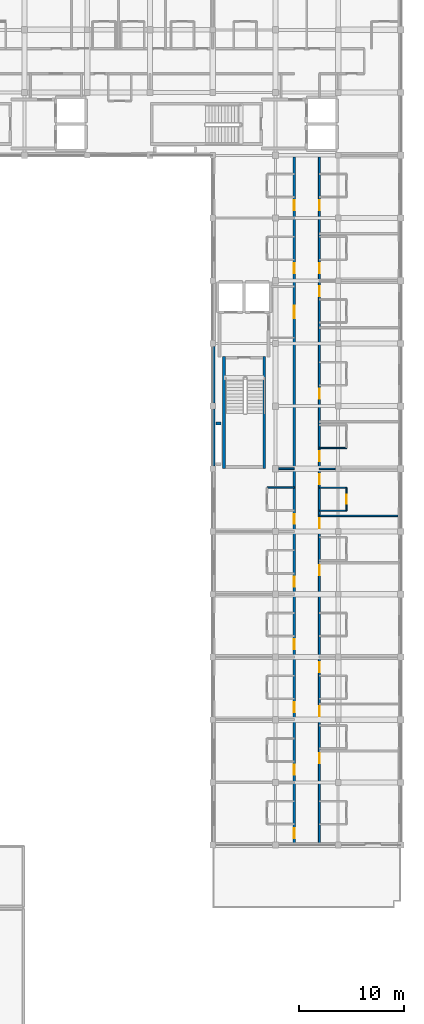
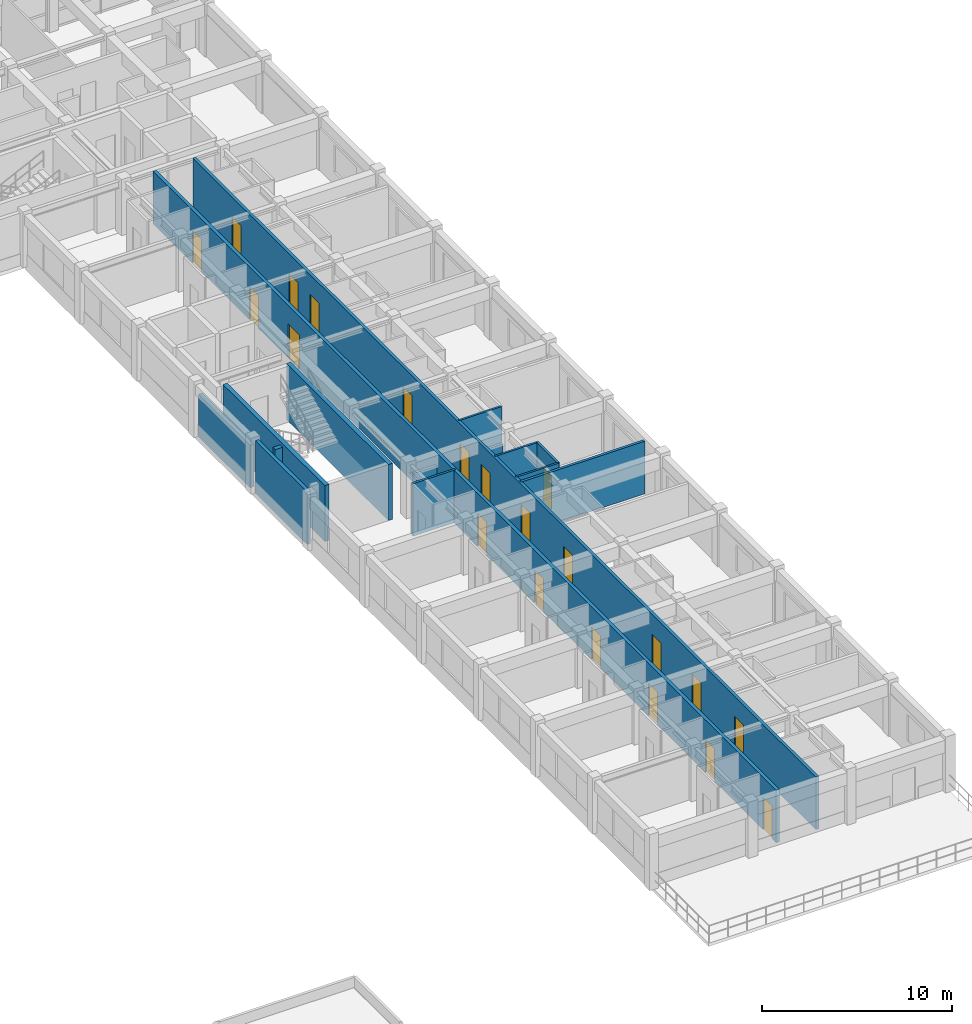
# One storey, part 14 of 25: 21 doors, 15 walls, 21 openings.
"""IFC4 building model written with IfcOpenShell, lengths in metres."""

from ifc_helpers import new_model, si_unit, direction, frame, frame_2d, origin, place, context, subcontext, project, spatial, rectangle, extrude, material, layer, layer_set, type_object, element, fill, save


model = new_model("IFC4")

# Units and contexts
model_context = context("Model", 3, precision=1e-05, world=origin(), true_north=direction((0.0, 1.0)))
body_context = subcontext(model_context, "Body", "Model", "MODEL_VIEW")
ifc_project = project(units=[si_unit("LENGTHUNIT", "METRE"), si_unit("AREAUNIT", "SQUARE_METRE"), si_unit("VOLUMEUNIT", "CUBIC_METRE"), si_unit("PLANEANGLEUNIT", "RADIAN"), si_unit("MASSUNIT", "GRAM", prefix="KILO"), si_unit("THERMODYNAMICTEMPERATUREUNIT", "KELVIN"), si_unit("POWERUNIT", "WATT")], contexts=[model_context])

# Site, building, storey
site_placement = place(None, origin())
site = spatial("IfcSite", under=ifc_project, at=site_placement, CompositionType="ELEMENT")
building_placement = place(site_placement, origin())
building = spatial("IfcBuilding", under=site, at=building_placement, Name="Phaisarnlok Congress Hotel", CompositionType="ELEMENT")
storey_placement = place(building_placement, frame((0.0, 0.0, 24.60009765625)))
storey = spatial("IfcBuildingStorey", under=building, at=storey_placement, Name="L05", CompositionType="ELEMENT", Elevation=24.60009765625)

# Walls
ifc_material_1 = material(Name="Concrete C40/50", Category="concrete")
ifc_layer_1 = layer(ifc_material_1, 0.2099609375, Name="Concrete C40/50")
ifc_layer_set_1 = layer_set([ifc_layer_1], Name="Concrete C40/50")
wall_type_1 = type_object("IfcWallType", Name="WL-EXT-210", PredefinedType="SOLIDWALL", material=ifc_layer_set_1)
wall_1_placement = place(storey_placement, frame((162.10498046875, 83.719970703125, 0.0), z_axis=(0.0, 0.0, 1.0), x_axis=(0.0, -1.0, 0.0)))
element("IfcWall", 1, at=wall_1_placement, inside=storey, type_object=wall_type_1, Name="Exterior wall EW-07 (L05)", PredefinedType="SOLIDWALL", context=body_context, shape_type="SweptSolid", body=[
    extrude(rectangle(XDim=5.43994140625, YDim=0.2099609375, at=frame_2d((2.719970703125, 0.0))), origin(), (0.0, 0.0, 1.0), 3.3798828125),
])
ifc_layer_2 = layer(ifc_material_1, 0.22998046875, Name="Concrete C40/50")
ifc_layer_set_2 = layer_set([ifc_layer_2], Name="Concrete C40/50")
wall_type_2 = type_object("IfcWallType", Name="WL-EXT-230", PredefinedType="SOLIDWALL", material=ifc_layer_set_2)
wall_2_placement = place(storey_placement, frame((162.114990234375, 89.719970703125, 0.0), z_axis=(0.0, 0.0, 1.0), x_axis=(0.0, -1.0, 0.0)))
element("IfcWall", 2, at=wall_2_placement, inside=storey, type_object=wall_type_2, Name="Exterior wall EW-06 (L05)", PredefinedType="SOLIDWALL", context=body_context, shape_type="SweptSolid", body=[
    extrude(rectangle(XDim=5.43994140625, YDim=0.22998046875, at=frame_2d((2.719970703125, 0.0))), origin(), (0.0, 0.0, 1.0), 2.72998046875),
])
ifc_material_2 = material(Name="Lightweight Metal-Stud Gypsum Partition", Category="gypsum")
ifc_layer_3 = layer(ifc_material_2, 0.1201171875, Name="Lightweight Metal-Stud Gypsum Partition")
ifc_layer_set_3 = layer_set([ifc_layer_3], Name="Lightweight Metal-Stud Gypsum Partition")
wall_type_3 = type_object("IfcWallType", Name="WL-INT-120", PredefinedType="PARTITIONING", material=ifc_layer_set_3)
for number, where, z_axis, x_axis, name in (
    (3, (172.199951171875, 74.0, 0.0), (0.0, 0.0, 1.0), (1.0, 0.0, 0.0), "Interior partition wall IW-07 (L05)"),
    (4, (172.199951171875, 76.199951171875, 0.0), (0.0, 0.0, 1.0), (1.0, 0.0, 0.0), "Interior partition wall IW-07 (L05)"),
    (5, (172.199951171875, 80.0, 0.0), (0.0, 0.0, 1.0), (1.0, 0.0, 0.0), "Interior partition wall IW-07 (L05)"),
):
    element("IfcWall", number, at=place(storey_placement, frame(where, z_axis=z_axis, x_axis=x_axis)), inside=storey, type_object=wall_type_3, Name=name, PredefinedType="PARTITIONING", context=body_context, shape_type="SweptSolid", body=[
        extrude(rectangle(XDim=2.60009765625, YDim=0.1201171875, at=frame_2d((1.300048828125, 0.0))), origin(), (0.0, 0.0, 1.0), 3.3798828125),
    ])

# Wall, opening, door
ifc_material_3 = material(Name="Moisture-Resistant Gypsum Partition", Category="gypsum")
ifc_layer_4 = layer(ifc_material_3, 0.135009765625, Name="Moisture-Resistant Gypsum Partition")
ifc_layer_set_4 = layer_set([ifc_layer_4], Name="Moisture-Resistant Gypsum Partition")
wall_type_4 = type_object("IfcWallType", Name="WL-INT-135", PredefinedType="PARTITIONING", material=ifc_layer_set_4)
wall_3_placement = place(storey_placement, frame((174.800048828125, 74.0, 0.0), z_axis=(0.0, 0.0, 1.0), x_axis=(0.0, 1.0, 0.0)))
wall_3 = element("IfcWall", 6, at=wall_3_placement, inside=storey, type_object=wall_type_4, Name="Interior partition wall IW-06 (L05)", PredefinedType="PARTITIONING", context=body_context, shape_type="SweptSolid", body=[
    extrude(rectangle(XDim=2.199951171875, YDim=0.135009765625, at=frame_2d((1.10009765625, 0.0))), origin(), (0.0, 0.0, 1.0), 3.3798828125),
])
opening_1_placement = place(wall_3_placement, frame((0.675048828125, 0.0, 0.0)))
opening_1 = element("IfcOpeningElement", 7, at=opening_1_placement, cuts=wall_3, Name="Opening D-0197", PredefinedType="OPENING", context=body_context, shape_type="SweptSolid", body=[
    extrude(rectangle(XDim=0.85009765625, YDim=2.10009765625, at=frame_2d((0.425048828125, 1.050048828125))), frame((0.0, 0.07763671875, 0.0), z_axis=(0.0, -1.0, 0.0), x_axis=(1.0, 0.0, 0.0)), (0.0, 0.0, 1.0), 0.155029296875),
])
ifc_material_4 = material(Name="Moisture-Resistant Lacquered Timber", Category="wood")
door_type_1 = type_object("IfcDoorType", Name="DR-BATH-850", OperationType="NOTDEFINED", PredefinedType="DOOR", material=ifc_material_4)
door_1_placement = place(opening_1_placement, origin())
door_1 = element("IfcDoor", 8, at=door_1_placement, inside=storey, type_object=door_type_1, Name="Interior door D-0197 (L05)", OperationType="SINGLE_SWING_LEFT", OverallHeight=2.10009765625, OverallWidth=0.85009765625, PredefinedType="DOOR", context=body_context, shape_type="SweptSolid", body=[
    extrude(rectangle(XDim=0.85009765625, YDim=2.10009765625, at=frame_2d((0.425048828125, 1.050048828125))), frame((0.0, 0.02490234375, 0.0), z_axis=(0.0, -1.0, 0.0), x_axis=(1.0, 0.0, 0.0)), (0.0, 0.0, 1.0), 0.050048828125),
])
fill(opening_1, door_1)

# Walls
wall_4_placement = place(storey_placement, frame((167.199951171875, 76.199951171875, 0.0), z_axis=(0.0, 0.0, 1.0), x_axis=(1.0, 0.0, 0.0)))
element("IfcWall", 9, at=wall_4_placement, inside=storey, type_object=wall_type_4, Name="Interior partition wall IW-06 (L05)", PredefinedType="PARTITIONING", context=body_context, shape_type="SweptSolid", body=[
    extrude(rectangle(XDim=2.60009765625, YDim=0.135009765625, at=frame_2d((1.300048828125, 0.0))), origin(), (0.0, 0.0, 1.0), 3.3798828125),
])
ifc_material_5 = material(Name="Acoustic Gypsum Board & Mineral Wool", Category="gypsum")
ifc_layer_5 = layer(ifc_material_5, 0.14990234375, Name="Acoustic Gypsum Board & Mineral Wool")
ifc_layer_set_5 = layer_set([ifc_layer_5], Name="Acoustic Gypsum Board & Mineral Wool")
wall_type_5 = type_object("IfcWallType", Name="WL-INT-150", PredefinedType="PARTITIONING", material=ifc_layer_set_5)
wall_5_placement = place(storey_placement, frame((172.199951171875, 78.0, 0.0), z_axis=(0.0, 0.0, 1.0), x_axis=(1.0, 0.0, 0.0)))
element("IfcWall", 10, at=wall_5_placement, inside=storey, type_object=wall_type_5, Name="Interior partition wall IW-05 (L05)", PredefinedType="PARTITIONING", context=body_context, shape_type="SweptSolid", body=[
    extrude(rectangle(XDim=1.52001953125, YDim=0.14990234375, at=frame_2d((0.760009765625, 0.0))), origin(), (0.0, 0.0, 1.0), 2.579833984375),
])
ifc_material_6 = material(Name="Double-Stud Acoustic Gypsum Partition", Category="gypsum")
ifc_layer_6 = layer(ifc_material_6, 0.159912109375, Name="Double-Stud Acoustic Gypsum Partition")
ifc_layer_set_6 = layer_set([ifc_layer_6], Name="Double-Stud Acoustic Gypsum Partition")
wall_type_6 = type_object("IfcWallType", Name="WL-INT-160", PredefinedType="PARTITIONING", material=ifc_layer_set_6)
wall_6_placement = place(storey_placement, frame((172.199951171875, 73.5, 0.0), z_axis=(0.0, 0.0, 1.0), x_axis=(1.0, 0.0, 0.0)))
element("IfcWall", 11, at=wall_6_placement, inside=storey, type_object=wall_type_6, Name="Interior partition wall IW-04 (L05)", PredefinedType="PARTITIONING", context=body_context, shape_type="SweptSolid", body=[
    extrude(rectangle(XDim=7.525146484375, YDim=0.159912109375, at=frame_2d((3.7626953125, 0.0))), origin(), (0.0, 0.0, 1.0), 3.3798828125),
])
wall_7_placement = place(storey_placement, frame((168.304931640625, 78.0, 0.0), z_axis=(0.0, 0.0, 1.0), x_axis=(1.0, 0.0, 0.0)))
element("IfcWall", 12, at=wall_7_placement, inside=storey, type_object=wall_type_6, Name="Interior partition wall IW-04 (L05)", PredefinedType="PARTITIONING", context=body_context, shape_type="SweptSolid", body=[
    extrude(rectangle(XDim=1.4951171875, YDim=0.159912109375, at=frame_2d((0.74755859375, 0.0))), origin(), (0.0, 0.0, 1.0), 2.579833984375),
])

# Wall, openings, doors
ifc_material_7 = material(Name="Autoclaved Aerated Concrete Block", Category="concrete")
ifc_layer_7 = layer(ifc_material_7, 0.179931640625, Name="Autoclaved Aerated Concrete Block")
ifc_layer_set_7 = layer_set([ifc_layer_7], Name="Autoclaved Aerated Concrete Block")
wall_type_7 = type_object("IfcWallType", Name="WL-INT-180", PredefinedType="PARTITIONING", material=ifc_layer_set_7)
wall_8_placement = place(storey_placement, frame((172.199951171875, 42.215087890625, 0.0), z_axis=(0.0, 0.0, 1.0), x_axis=(0.0, 1.0, 0.0)))
wall_8 = element("IfcWall", 13, at=wall_8_placement, inside=storey, type_object=wall_type_7, Name="Interior partition wall IW-03 (L05)", PredefinedType="PARTITIONING", context=body_context, shape_type="SweptSolid", body=[
    extrude(rectangle(XDim=65.60498046875, YDim=0.179931640625, at=frame_2d((32.802490234375, 0.0))), origin(), (0.0, 0.0, 1.0), 3.3798828125),
])
opening_2_placement = place(wall_8_placement, frame((7.610107421875, 0.0, 0.0)))
opening_2 = element("IfcOpeningElement", 14, at=opening_2_placement, cuts=wall_8, Name="Opening D-0188", PredefinedType="OPENING", context=body_context, shape_type="SweptSolid", body=[
    extrude(rectangle(XDim=0.949951171875, YDim=2.10009765625, at=frame_2d((0.47509765625, 1.050048828125))), frame((0.0, 0.10009765625, 0.0), z_axis=(0.0, -1.0, 0.0), x_axis=(1.0, 0.0, 0.0)), (0.0, 0.0, 1.0), 0.199951171875),
])
opening_3_placement = place(wall_8_placement, frame((12.110107421875, 0.0, 0.0)))
opening_3 = element("IfcOpeningElement", 15, at=opening_3_placement, cuts=wall_8, Name="Opening D-0190", PredefinedType="OPENING", context=body_context, shape_type="SweptSolid", body=[
    extrude(rectangle(XDim=0.949951171875, YDim=2.10009765625, at=frame_2d((0.47509765625, 1.050048828125))), frame((0.0, 0.10009765625, 0.0), z_axis=(0.0, -1.0, 0.0), x_axis=(1.0, 0.0, 0.0)), (0.0, 0.0, 1.0), 0.199951171875),
])
opening_4_placement = place(wall_8_placement, frame((16.31005859375, 0.0, 0.0)))
opening_4 = element("IfcOpeningElement", 16, at=opening_4_placement, cuts=wall_8, Name="Opening D-0192", PredefinedType="OPENING", context=body_context, shape_type="SweptSolid", body=[
    extrude(rectangle(XDim=0.949951171875, YDim=2.10009765625, at=frame_2d((0.47509765625, 1.050048828125))), frame((0.0, 0.10009765625, 0.0), z_axis=(0.0, -1.0, 0.0), x_axis=(1.0, 0.0, 0.0)), (0.0, 0.0, 1.0), 0.199951171875),
])
opening_5_placement = place(wall_8_placement, frame((25.610107421875, 0.0, 0.0)))
opening_5 = element("IfcOpeningElement", 17, at=opening_5_placement, cuts=wall_8, Name="Opening D-0194", PredefinedType="OPENING", context=body_context, shape_type="SweptSolid", body=[
    extrude(rectangle(XDim=0.949951171875, YDim=2.10009765625, at=frame_2d((0.47509765625, 1.050048828125))), frame((0.0, 0.10009765625, 0.0), z_axis=(0.0, -1.0, 0.0), x_axis=(1.0, 0.0, 0.0)), (0.0, 0.0, 1.0), 0.199951171875),
])
opening_6_placement = place(wall_8_placement, frame((30.110107421875, 0.0, 0.0)))
opening_6 = element("IfcOpeningElement", 18, at=opening_6_placement, cuts=wall_8, Name="Opening D-0196", PredefinedType="OPENING", context=body_context, shape_type="SweptSolid", body=[
    extrude(rectangle(XDim=0.949951171875, YDim=2.10009765625, at=frame_2d((0.47509765625, 1.050048828125))), frame((0.0, 0.10009765625, 0.0), z_axis=(0.0, -1.0, 0.0), x_axis=(1.0, 0.0, 0.0)), (0.0, 0.0, 1.0), 0.199951171875),
])
opening_7_placement = place(wall_8_placement, frame((34.31005859375, 0.0, 0.0)))
opening_7 = element("IfcOpeningElement", 19, at=opening_7_placement, cuts=wall_8, Name="Opening D-0198", PredefinedType="OPENING", context=body_context, shape_type="SweptSolid", body=[
    extrude(rectangle(XDim=0.949951171875, YDim=2.10009765625, at=frame_2d((0.47509765625, 1.050048828125))), frame((0.0, 0.10009765625, 0.0), z_axis=(0.0, -1.0, 0.0), x_axis=(1.0, 0.0, 0.0)), (0.0, 0.0, 1.0), 0.199951171875),
])
opening_8_placement = place(wall_8_placement, frame((36.510009765625, 0.0, 0.0)))
opening_8 = element("IfcOpeningElement", 20, at=opening_8_placement, cuts=wall_8, Name="Opening D-0200", PredefinedType="OPENING", context=body_context, shape_type="SweptSolid", body=[
    extrude(rectangle(XDim=0.949951171875, YDim=2.10009765625, at=frame_2d((0.47509765625, 1.050048828125))), frame((0.0, 0.10009765625, 0.0), z_axis=(0.0, -1.0, 0.0), x_axis=(1.0, 0.0, 0.0)), (0.0, 0.0, 1.0), 0.199951171875),
])
opening_9_placement = place(wall_8_placement, frame((42.510009765625, 0.0, 0.0)))
opening_9 = element("IfcOpeningElement", 21, at=opening_9_placement, cuts=wall_8, Name="Opening D-0202", PredefinedType="OPENING", context=body_context, shape_type="SweptSolid", body=[
    extrude(rectangle(XDim=0.949951171875, YDim=2.10009765625, at=frame_2d((0.47509765625, 1.050048828125))), frame((0.0, 0.10009765625, 0.0), z_axis=(0.0, -1.0, 0.0), x_axis=(1.0, 0.0, 0.0)), (0.0, 0.0, 1.0), 0.199951171875),
])
opening_10_placement = place(wall_8_placement, frame((52.31005859375, 0.0, 0.0)))
opening_10 = element("IfcOpeningElement", 22, at=opening_10_placement, cuts=wall_8, Name="Opening D-0204", PredefinedType="OPENING", context=body_context, shape_type="SweptSolid", body=[
    extrude(rectangle(XDim=0.949951171875, YDim=2.10009765625, at=frame_2d((0.47509765625, 1.050048828125))), frame((0.0, 0.10009765625, 0.0), z_axis=(0.0, -1.0, 0.0), x_axis=(1.0, 0.0, 0.0)), (0.0, 0.0, 1.0), 0.199951171875),
])
opening_11_placement = place(wall_8_placement, frame((54.510009765625, 0.0, 0.0)))
opening_11 = element("IfcOpeningElement", 23, at=opening_11_placement, cuts=wall_8, Name="Opening D-0206", PredefinedType="OPENING", context=body_context, shape_type="SweptSolid", body=[
    extrude(rectangle(XDim=0.949951171875, YDim=2.10009765625, at=frame_2d((0.47509765625, 1.050048828125))), frame((0.0, 0.10009765625, 0.0), z_axis=(0.0, -1.0, 0.0), x_axis=(1.0, 0.0, 0.0)), (0.0, 0.0, 1.0), 0.199951171875),
])
opening_12_placement = place(wall_8_placement, frame((60.510009765625, 0.0, 0.0)))
opening_12 = element("IfcOpeningElement", 24, at=opening_12_placement, cuts=wall_8, Name="Opening D-0208", PredefinedType="OPENING", context=body_context, shape_type="SweptSolid", body=[
    extrude(rectangle(XDim=0.949951171875, YDim=2.10009765625, at=frame_2d((0.47509765625, 1.050048828125))), frame((0.0, 0.10009765625, 0.0), z_axis=(0.0, -1.0, 0.0), x_axis=(1.0, 0.0, 0.0)), (0.0, 0.0, 1.0), 0.199951171875),
])
ifc_material_8 = material(Name="Acoustic Solid-Core Teak Veneer", Category="wood")
door_type_2 = type_object("IfcDoorType", Name="DR-FD30-950", OperationType="NOTDEFINED", PredefinedType="DOOR", material=ifc_material_8)
door_2_placement = place(opening_2_placement, origin())
door_2 = element("IfcDoor", 25, at=door_2_placement, inside=storey, type_object=door_type_2, Name="Interior door D-0188 (L05)", OperationType="SINGLE_SWING_RIGHT", OverallHeight=2.10009765625, OverallWidth=0.949951171875, PredefinedType="DOOR", context=body_context, shape_type="SweptSolid", body=[
    extrude(rectangle(XDim=0.949951171875, YDim=2.10009765625, at=frame_2d((0.47509765625, 1.050048828125))), frame((0.0, 0.02490234375, 0.0), z_axis=(0.0, -1.0, 0.0), x_axis=(1.0, 0.0, 0.0)), (0.0, 0.0, 1.0), 0.050048828125),
])
fill(opening_2, door_2)
door_3_placement = place(opening_3_placement, origin())
door_3 = element("IfcDoor", 26, at=door_3_placement, inside=storey, type_object=door_type_2, Name="Interior door D-0190 (L05)", OperationType="SINGLE_SWING_RIGHT", OverallHeight=2.10009765625, OverallWidth=0.949951171875, PredefinedType="DOOR", context=body_context, shape_type="SweptSolid", body=[
    extrude(rectangle(XDim=0.949951171875, YDim=2.10009765625, at=frame_2d((0.47509765625, 1.050048828125))), frame((0.0, 0.02490234375, 0.0), z_axis=(0.0, -1.0, 0.0), x_axis=(1.0, 0.0, 0.0)), (0.0, 0.0, 1.0), 0.050048828125),
])
fill(opening_3, door_3)
door_4_placement = place(opening_4_placement, origin())
door_4 = element("IfcDoor", 27, at=door_4_placement, inside=storey, type_object=door_type_2, Name="Interior door D-0192 (L05)", OperationType="SINGLE_SWING_RIGHT", OverallHeight=2.10009765625, OverallWidth=0.949951171875, PredefinedType="DOOR", context=body_context, shape_type="SweptSolid", body=[
    extrude(rectangle(XDim=0.949951171875, YDim=2.10009765625, at=frame_2d((0.47509765625, 1.050048828125))), frame((0.0, 0.02490234375, 0.0), z_axis=(0.0, -1.0, 0.0), x_axis=(1.0, 0.0, 0.0)), (0.0, 0.0, 1.0), 0.050048828125),
])
fill(opening_4, door_4)
door_5_placement = place(opening_5_placement, origin())
door_5 = element("IfcDoor", 28, at=door_5_placement, inside=storey, type_object=door_type_2, Name="Interior door D-0194 (L05)", OperationType="SINGLE_SWING_RIGHT", OverallHeight=2.10009765625, OverallWidth=0.949951171875, PredefinedType="DOOR", context=body_context, shape_type="SweptSolid", body=[
    extrude(rectangle(XDim=0.949951171875, YDim=2.10009765625, at=frame_2d((0.47509765625, 1.050048828125))), frame((0.0, 0.02490234375, 0.0), z_axis=(0.0, -1.0, 0.0), x_axis=(1.0, 0.0, 0.0)), (0.0, 0.0, 1.0), 0.050048828125),
])
fill(opening_5, door_5)
door_6_placement = place(opening_6_placement, origin())
door_6 = element("IfcDoor", 29, at=door_6_placement, inside=storey, type_object=door_type_2, Name="Interior door D-0196 (L05)", OperationType="SINGLE_SWING_RIGHT", OverallHeight=2.10009765625, OverallWidth=0.949951171875, PredefinedType="DOOR", context=body_context, shape_type="SweptSolid", body=[
    extrude(rectangle(XDim=0.949951171875, YDim=2.10009765625, at=frame_2d((0.47509765625, 1.050048828125))), frame((0.0, 0.02490234375, 0.0), z_axis=(0.0, -1.0, 0.0), x_axis=(1.0, 0.0, 0.0)), (0.0, 0.0, 1.0), 0.050048828125),
])
fill(opening_6, door_6)
door_7_placement = place(opening_7_placement, origin())
door_7 = element("IfcDoor", 30, at=door_7_placement, inside=storey, type_object=door_type_2, Name="Interior door D-0198 (L05)", OperationType="SINGLE_SWING_RIGHT", OverallHeight=2.10009765625, OverallWidth=0.949951171875, PredefinedType="DOOR", context=body_context, shape_type="SweptSolid", body=[
    extrude(rectangle(XDim=0.949951171875, YDim=2.10009765625, at=frame_2d((0.47509765625, 1.050048828125))), frame((0.0, 0.02490234375, 0.0), z_axis=(0.0, -1.0, 0.0), x_axis=(1.0, 0.0, 0.0)), (0.0, 0.0, 1.0), 0.050048828125),
])
fill(opening_7, door_7)
door_8_placement = place(opening_8_placement, origin())
door_8 = element("IfcDoor", 31, at=door_8_placement, inside=storey, type_object=door_type_2, Name="Interior door D-0200 (L05)", OperationType="SINGLE_SWING_RIGHT", OverallHeight=2.10009765625, OverallWidth=0.949951171875, PredefinedType="DOOR", context=body_context, shape_type="SweptSolid", body=[
    extrude(rectangle(XDim=0.949951171875, YDim=2.10009765625, at=frame_2d((0.47509765625, 1.050048828125))), frame((0.0, 0.02490234375, 0.0), z_axis=(0.0, -1.0, 0.0), x_axis=(1.0, 0.0, 0.0)), (0.0, 0.0, 1.0), 0.050048828125),
])
fill(opening_8, door_8)
door_9_placement = place(opening_9_placement, origin())
door_9 = element("IfcDoor", 32, at=door_9_placement, inside=storey, type_object=door_type_2, Name="Interior door D-0202 (L05)", OperationType="SINGLE_SWING_RIGHT", OverallHeight=2.10009765625, OverallWidth=0.949951171875, PredefinedType="DOOR", context=body_context, shape_type="SweptSolid", body=[
    extrude(rectangle(XDim=0.949951171875, YDim=2.10009765625, at=frame_2d((0.47509765625, 1.050048828125))), frame((0.0, 0.02490234375, 0.0), z_axis=(0.0, -1.0, 0.0), x_axis=(1.0, 0.0, 0.0)), (0.0, 0.0, 1.0), 0.050048828125),
])
fill(opening_9, door_9)
door_10_placement = place(opening_10_placement, origin())
door_10 = element("IfcDoor", 33, at=door_10_placement, inside=storey, type_object=door_type_2, Name="Interior door D-0204 (L05)", OperationType="SINGLE_SWING_RIGHT", OverallHeight=2.10009765625, OverallWidth=0.949951171875, PredefinedType="DOOR", context=body_context, shape_type="SweptSolid", body=[
    extrude(rectangle(XDim=0.949951171875, YDim=2.10009765625, at=frame_2d((0.47509765625, 1.050048828125))), frame((0.0, 0.02490234375, 0.0), z_axis=(0.0, -1.0, 0.0), x_axis=(1.0, 0.0, 0.0)), (0.0, 0.0, 1.0), 0.050048828125),
])
fill(opening_10, door_10)
door_11_placement = place(opening_11_placement, origin())
door_11 = element("IfcDoor", 34, at=door_11_placement, inside=storey, type_object=door_type_2, Name="Interior door D-0206 (L05)", OperationType="SINGLE_SWING_RIGHT", OverallHeight=2.10009765625, OverallWidth=0.949951171875, PredefinedType="DOOR", context=body_context, shape_type="SweptSolid", body=[
    extrude(rectangle(XDim=0.949951171875, YDim=2.10009765625, at=frame_2d((0.47509765625, 1.050048828125))), frame((0.0, 0.02490234375, 0.0), z_axis=(0.0, -1.0, 0.0), x_axis=(1.0, 0.0, 0.0)), (0.0, 0.0, 1.0), 0.050048828125),
])
fill(opening_11, door_11)
door_12_placement = place(opening_12_placement, origin())
door_12 = element("IfcDoor", 35, at=door_12_placement, inside=storey, type_object=door_type_2, Name="Interior door D-0208 (L05)", OperationType="SINGLE_SWING_RIGHT", OverallHeight=2.10009765625, OverallWidth=0.949951171875, PredefinedType="DOOR", context=body_context, shape_type="SweptSolid", body=[
    extrude(rectangle(XDim=0.949951171875, YDim=2.10009765625, at=frame_2d((0.47509765625, 1.050048828125))), frame((0.0, 0.02490234375, 0.0), z_axis=(0.0, -1.0, 0.0), x_axis=(1.0, 0.0, 0.0)), (0.0, 0.0, 1.0), 0.050048828125),
])
fill(opening_12, door_12)

ifc_layer_8 = layer(ifc_material_7, 0.199951171875, Name="Autoclaved Aerated Concrete Block")
ifc_layer_set_8 = layer_set([ifc_layer_8], Name="Autoclaved Aerated Concrete Block")
wall_type_8 = type_object("IfcWallType", Name="WL-INT-200", PredefinedType="PARTITIONING", material=ifc_layer_set_8)
wall_9_placement = place(storey_placement, frame((169.800048828125, 42.215087890625, 0.0), z_axis=(0.0, 0.0, 1.0), x_axis=(0.0, 1.0, 0.0)))
wall_9 = element("IfcWall", 36, at=wall_9_placement, inside=storey, type_object=wall_type_8, Name="Interior partition wall IW-02 (L05)", PredefinedType="PARTITIONING", context=body_context, shape_type="SweptSolid", body=[
    extrude(rectangle(XDim=65.60498046875, YDim=0.199951171875, at=frame_2d((32.802490234375, 0.0))), origin(), (0.0, 0.0, 1.0), 3.3798828125),
])
opening_13_placement = place(wall_9_placement, frame((50.18505859375, 0.0, 0.0)))
opening_13 = element("IfcOpeningElement", 37, at=opening_13_placement, cuts=wall_9, Name="Opening D-0142", PredefinedType="OPENING", context=body_context, shape_type="SweptSolid", body=[
    extrude(rectangle(XDim=1.199951171875, YDim=2.199951171875, at=frame_2d((0.60009765625, 1.10009765625))), frame((0.0, 0.10986328125, 0.0), z_axis=(0.0, -1.0, 0.0), x_axis=(1.0, 0.0, 0.0)), (0.0, 0.0, 1.0), 0.219970703125),
])
opening_14_placement = place(wall_9_placement, frame((0.4599609375, 0.0, 0.0)))
opening_14 = element("IfcOpeningElement", 38, at=opening_14_placement, cuts=wall_9, Name="Opening D-0211", PredefinedType="OPENING", context=body_context, shape_type="SweptSolid", body=[
    extrude(rectangle(XDim=0.949951171875, YDim=2.10009765625, at=frame_2d((0.47509765625, 1.050048828125))), frame((0.0, 0.10986328125, 0.0), z_axis=(0.0, -1.0, 0.0), x_axis=(1.0, 0.0, 0.0)), (0.0, 0.0, 1.0), 0.219970703125),
])
opening_15_placement = place(wall_9_placement, frame((6.510009765625, 0.0, 0.0)))
opening_15 = element("IfcOpeningElement", 39, at=opening_15_placement, cuts=wall_9, Name="Opening D-0213", PredefinedType="OPENING", context=body_context, shape_type="SweptSolid", body=[
    extrude(rectangle(XDim=0.949951171875, YDim=2.10009765625, at=frame_2d((0.47509765625, 1.050048828125))), frame((0.0, 0.10986328125, 0.0), z_axis=(0.0, -1.0, 0.0), x_axis=(1.0, 0.0, 0.0)), (0.0, 0.0, 1.0), 0.219970703125),
])
opening_16_placement = place(wall_9_placement, frame((12.510009765625, 0.0, 0.0)))
opening_16 = element("IfcOpeningElement", 40, at=opening_16_placement, cuts=wall_9, Name="Opening D-0215", PredefinedType="OPENING", context=body_context, shape_type="SweptSolid", body=[
    extrude(rectangle(XDim=0.949951171875, YDim=2.10009765625, at=frame_2d((0.47509765625, 1.050048828125))), frame((0.0, 0.10986328125, 0.0), z_axis=(0.0, -1.0, 0.0), x_axis=(1.0, 0.0, 0.0)), (0.0, 0.0, 1.0), 0.219970703125),
])
opening_17_placement = place(wall_9_placement, frame((18.510009765625, 0.0, 0.0)))
opening_17 = element("IfcOpeningElement", 41, at=opening_17_placement, cuts=wall_9, Name="Opening D-0217", PredefinedType="OPENING", context=body_context, shape_type="SweptSolid", body=[
    extrude(rectangle(XDim=0.949951171875, YDim=2.10009765625, at=frame_2d((0.47509765625, 1.050048828125))), frame((0.0, 0.10986328125, 0.0), z_axis=(0.0, -1.0, 0.0), x_axis=(1.0, 0.0, 0.0)), (0.0, 0.0, 1.0), 0.219970703125),
])
opening_18_placement = place(wall_9_placement, frame((24.510009765625, 0.0, 0.0)))
opening_18 = element("IfcOpeningElement", 42, at=opening_18_placement, cuts=wall_9, Name="Opening D-0219", PredefinedType="OPENING", context=body_context, shape_type="SweptSolid", body=[
    extrude(rectangle(XDim=0.949951171875, YDim=2.10009765625, at=frame_2d((0.47509765625, 1.050048828125))), frame((0.0, 0.10986328125, 0.0), z_axis=(0.0, -1.0, 0.0), x_axis=(1.0, 0.0, 0.0)), (0.0, 0.0, 1.0), 0.219970703125),
])
opening_19_placement = place(wall_9_placement, frame((30.510009765625, 0.0, 0.0)))
opening_19 = element("IfcOpeningElement", 43, at=opening_19_placement, cuts=wall_9, Name="Opening D-0221", PredefinedType="OPENING", context=body_context, shape_type="SweptSolid", body=[
    extrude(rectangle(XDim=0.949951171875, YDim=2.10009765625, at=frame_2d((0.47509765625, 1.050048828125))), frame((0.0, 0.10986328125, 0.0), z_axis=(0.0, -1.0, 0.0), x_axis=(1.0, 0.0, 0.0)), (0.0, 0.0, 1.0), 0.219970703125),
])
opening_20_placement = place(wall_9_placement, frame((54.510009765625, 0.0, 0.0)))
opening_20 = element("IfcOpeningElement", 44, at=opening_20_placement, cuts=wall_9, Name="Opening D-0223", PredefinedType="OPENING", context=body_context, shape_type="SweptSolid", body=[
    extrude(rectangle(XDim=0.949951171875, YDim=2.10009765625, at=frame_2d((0.47509765625, 1.050048828125))), frame((0.0, 0.10986328125, 0.0), z_axis=(0.0, -1.0, 0.0), x_axis=(1.0, 0.0, 0.0)), (0.0, 0.0, 1.0), 0.219970703125),
])
opening_21_placement = place(wall_9_placement, frame((60.510009765625, 0.0, 0.0)))
opening_21 = element("IfcOpeningElement", 45, at=opening_21_placement, cuts=wall_9, Name="Opening D-0225", PredefinedType="OPENING", context=body_context, shape_type="SweptSolid", body=[
    extrude(rectangle(XDim=0.949951171875, YDim=2.10009765625, at=frame_2d((0.47509765625, 1.050048828125))), frame((0.0, 0.10986328125, 0.0), z_axis=(0.0, -1.0, 0.0), x_axis=(1.0, 0.0, 0.0)), (0.0, 0.0, 1.0), 0.219970703125),
])
door_13_placement = place(opening_14_placement, origin())
door_13 = element("IfcDoor", 46, at=door_13_placement, inside=storey, type_object=door_type_2, Name="Interior door D-0211 (L05)", OperationType="SINGLE_SWING_LEFT", OverallHeight=2.10009765625, OverallWidth=0.949951171875, PredefinedType="DOOR", context=body_context, shape_type="SweptSolid", body=[
    extrude(rectangle(XDim=0.949951171875, YDim=2.10009765625, at=frame_2d((0.47509765625, 1.050048828125))), frame((0.0, 0.02490234375, 0.0), z_axis=(0.0, -1.0, 0.0), x_axis=(1.0, 0.0, 0.0)), (0.0, 0.0, 1.0), 0.050048828125),
])
fill(opening_14, door_13)
door_14_placement = place(opening_15_placement, origin())
door_14 = element("IfcDoor", 47, at=door_14_placement, inside=storey, type_object=door_type_2, Name="Interior door D-0213 (L05)", OperationType="SINGLE_SWING_LEFT", OverallHeight=2.10009765625, OverallWidth=0.949951171875, PredefinedType="DOOR", context=body_context, shape_type="SweptSolid", body=[
    extrude(rectangle(XDim=0.949951171875, YDim=2.10009765625, at=frame_2d((0.47509765625, 1.050048828125))), frame((0.0, 0.02490234375, 0.0), z_axis=(0.0, -1.0, 0.0), x_axis=(1.0, 0.0, 0.0)), (0.0, 0.0, 1.0), 0.050048828125),
])
fill(opening_15, door_14)
door_15_placement = place(opening_16_placement, origin())
door_15 = element("IfcDoor", 48, at=door_15_placement, inside=storey, type_object=door_type_2, Name="Interior door D-0215 (L05)", OperationType="SINGLE_SWING_LEFT", OverallHeight=2.10009765625, OverallWidth=0.949951171875, PredefinedType="DOOR", context=body_context, shape_type="SweptSolid", body=[
    extrude(rectangle(XDim=0.949951171875, YDim=2.10009765625, at=frame_2d((0.47509765625, 1.050048828125))), frame((0.0, 0.02490234375, 0.0), z_axis=(0.0, -1.0, 0.0), x_axis=(1.0, 0.0, 0.0)), (0.0, 0.0, 1.0), 0.050048828125),
])
fill(opening_16, door_15)
door_16_placement = place(opening_17_placement, origin())
door_16 = element("IfcDoor", 49, at=door_16_placement, inside=storey, type_object=door_type_2, Name="Interior door D-0217 (L05)", OperationType="SINGLE_SWING_LEFT", OverallHeight=2.10009765625, OverallWidth=0.949951171875, PredefinedType="DOOR", context=body_context, shape_type="SweptSolid", body=[
    extrude(rectangle(XDim=0.949951171875, YDim=2.10009765625, at=frame_2d((0.47509765625, 1.050048828125))), frame((0.0, 0.02490234375, 0.0), z_axis=(0.0, -1.0, 0.0), x_axis=(1.0, 0.0, 0.0)), (0.0, 0.0, 1.0), 0.050048828125),
])
fill(opening_17, door_16)
door_17_placement = place(opening_18_placement, origin())
door_17 = element("IfcDoor", 50, at=door_17_placement, inside=storey, type_object=door_type_2, Name="Interior door D-0219 (L05)", OperationType="SINGLE_SWING_LEFT", OverallHeight=2.10009765625, OverallWidth=0.949951171875, PredefinedType="DOOR", context=body_context, shape_type="SweptSolid", body=[
    extrude(rectangle(XDim=0.949951171875, YDim=2.10009765625, at=frame_2d((0.47509765625, 1.050048828125))), frame((0.0, 0.02490234375, 0.0), z_axis=(0.0, -1.0, 0.0), x_axis=(1.0, 0.0, 0.0)), (0.0, 0.0, 1.0), 0.050048828125),
])
fill(opening_18, door_17)
door_18_placement = place(opening_19_placement, origin())
door_18 = element("IfcDoor", 51, at=door_18_placement, inside=storey, type_object=door_type_2, Name="Interior door D-0221 (L05)", OperationType="SINGLE_SWING_LEFT", OverallHeight=2.10009765625, OverallWidth=0.949951171875, PredefinedType="DOOR", context=body_context, shape_type="SweptSolid", body=[
    extrude(rectangle(XDim=0.949951171875, YDim=2.10009765625, at=frame_2d((0.47509765625, 1.050048828125))), frame((0.0, 0.02490234375, 0.0), z_axis=(0.0, -1.0, 0.0), x_axis=(1.0, 0.0, 0.0)), (0.0, 0.0, 1.0), 0.050048828125),
])
fill(opening_19, door_18)
door_19_placement = place(opening_20_placement, origin())
door_19 = element("IfcDoor", 52, at=door_19_placement, inside=storey, type_object=door_type_2, Name="Interior door D-0223 (L05)", OperationType="SINGLE_SWING_LEFT", OverallHeight=2.10009765625, OverallWidth=0.949951171875, PredefinedType="DOOR", context=body_context, shape_type="SweptSolid", body=[
    extrude(rectangle(XDim=0.949951171875, YDim=2.10009765625, at=frame_2d((0.47509765625, 1.050048828125))), frame((0.0, 0.02490234375, 0.0), z_axis=(0.0, -1.0, 0.0), x_axis=(1.0, 0.0, 0.0)), (0.0, 0.0, 1.0), 0.050048828125),
])
fill(opening_20, door_19)
door_20_placement = place(opening_21_placement, origin())
door_20 = element("IfcDoor", 53, at=door_20_placement, inside=storey, type_object=door_type_2, Name="Interior door D-0225 (L05)", OperationType="SINGLE_SWING_LEFT", OverallHeight=2.10009765625, OverallWidth=0.949951171875, PredefinedType="DOOR", context=body_context, shape_type="SweptSolid", body=[
    extrude(rectangle(XDim=0.949951171875, YDim=2.10009765625, at=frame_2d((0.47509765625, 1.050048828125))), frame((0.0, 0.02490234375, 0.0), z_axis=(0.0, -1.0, 0.0), x_axis=(1.0, 0.0, 0.0)), (0.0, 0.0, 1.0), 0.050048828125),
])
fill(opening_21, door_20)
ifc_material_9 = material(Name="Fire-Rated Steel Frame & Timber Leaf", Category="steel")
door_type_3 = type_object("IfcDoorType", Name="DR-FD60-1200", OperationType="NOTDEFINED", PredefinedType="DOOR", material=ifc_material_9)
door_21_placement = place(opening_13_placement, origin())
door_21 = element("IfcDoor", 54, at=door_21_placement, inside=storey, type_object=door_type_3, Name="Interior door D-0142 (L05)", OperationType="SINGLE_SWING_LEFT", OverallHeight=2.199951171875, OverallWidth=1.199951171875, PredefinedType="DOOR", context=body_context, shape_type="SweptSolid", body=[
    extrude(rectangle(XDim=1.199951171875, YDim=2.199951171875, at=frame_2d((0.60009765625, 1.10009765625))), frame((0.0, 0.02490234375, 0.0), z_axis=(0.0, -1.0, 0.0), x_axis=(1.0, 0.0, 0.0)), (0.0, 0.0, 1.0), 0.050048828125),
])
fill(opening_13, door_21)

# Walls
ifc_material_10 = material(Name="Concrete C50/60", Category="concrete")
ifc_layer_9 = layer(ifc_material_10, 0.260009765625, Name="Concrete C50/60")
ifc_layer_set_9 = layer_set([ifc_layer_9], Name="Concrete C50/60")
wall_type_9 = type_object("IfcWallType", Name="WL-SHR-260", PredefinedType="SHEAR", material=ifc_layer_set_9)
for number, where, z_axis, x_axis, name in (
    (55, (163.070068359375, 78.0400390625, 0.0), (0.0, 0.0, 1.0), (0.0, 1.0, 0.0), "Stair shaft shear wall SW-04 (CORE-3 L05)"),
    (56, (166.929931640625, 78.0400390625, 0.0), (0.0, 0.0, 1.0), (0.0, 1.0, 0.0), "Stair shaft shear wall SW-04 (CORE-3 L05)"),
):
    element("IfcWall", number, at=place(storey_placement, frame(where, z_axis=z_axis, x_axis=x_axis)), inside=storey, type_object=wall_type_9, Name=name, PredefinedType="SHEAR", context=body_context, shape_type="SweptSolid", body=[
        extrude(rectangle(XDim=10.719970703125, YDim=0.260009765625, at=frame_2d((5.35986328125, 0.0))), origin(), (0.0, 0.0, 1.0), 3.599853515625),
    ])
wall_10_placement = place(storey_placement, frame((162.330078125, 82.330078125, 0.0), z_axis=(0.0, 0.0, 1.0), x_axis=(1.0, 0.0, 0.0)))
element("IfcWall", 57, at=wall_10_placement, inside=storey, type_object=wall_type_9, Name="Service riser shaft wall SW-04 (CORE-3 L05)", PredefinedType="SHEAR", context=body_context, shape_type="SweptSolid", body=[
    extrude(rectangle(XDim=0.43994140625, YDim=0.260009765625, at=frame_2d((0.219970703125, 0.0))), origin(), (0.0, 0.0, 1.0), 3.599853515625),
])

save(model, "model.ifc")
